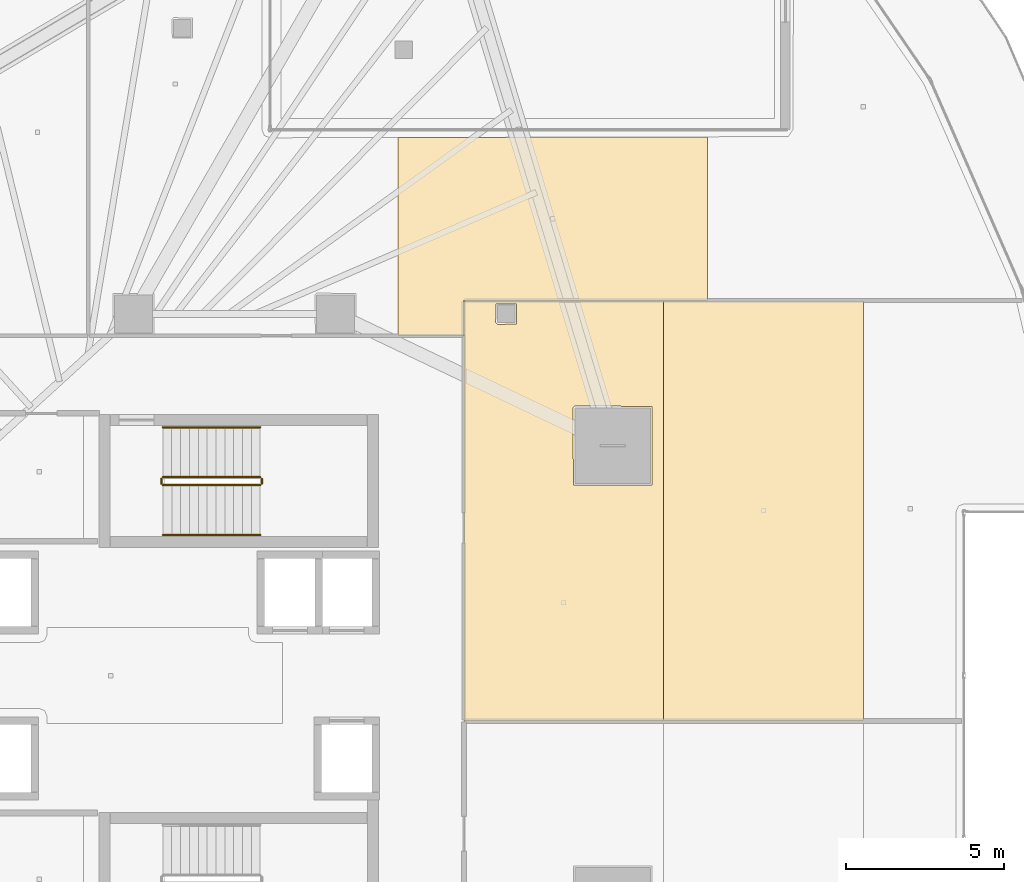
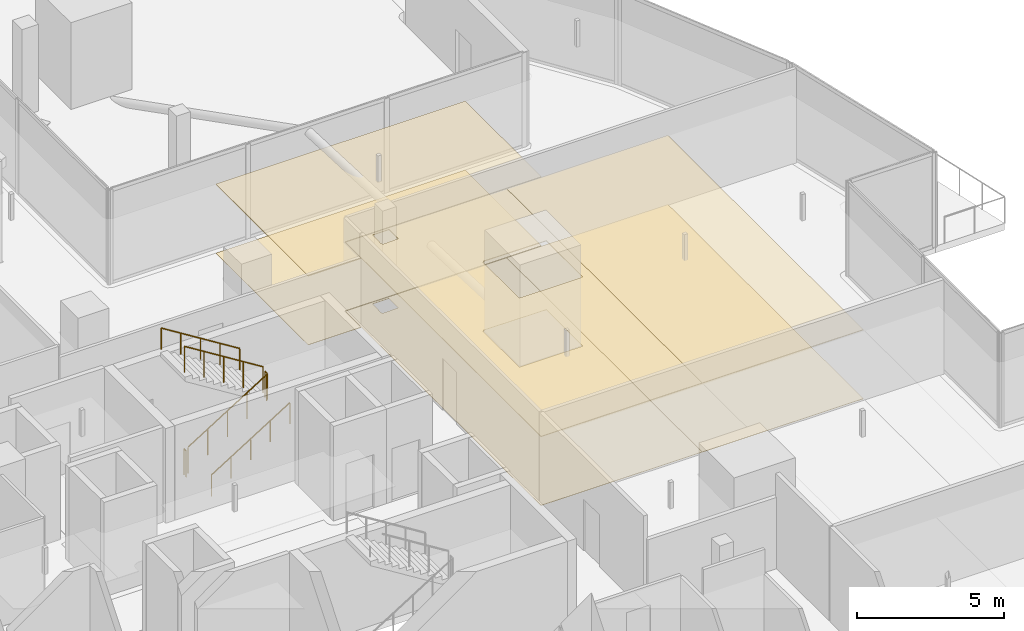
# One storey, part 46 of 47: 6 coverings, 6 railings.
"""IFC4 building model written with IfcOpenShell, lengths in metres."""

from ifc_helpers import new_model, si_unit, direction, frame, origin, origin_2d, place, context, subcontext, project, spatial, polyline, circle, outline, extrude, material, layer, layer_set, type_object, element, save


model = new_model("IFC4")

# Units and contexts
model_context = context("Model", 3, precision=1e-05, world=origin(), true_north=direction((0.0, 1.0)))
body_context = subcontext(model_context, "Body", "Model", "MODEL_VIEW")
ifc_project = project(units=[si_unit("LENGTHUNIT", "METRE"), si_unit("AREAUNIT", "SQUARE_METRE"), si_unit("VOLUMEUNIT", "CUBIC_METRE"), si_unit("PLANEANGLEUNIT", "RADIAN"), si_unit("MASSUNIT", "GRAM", prefix="KILO")], contexts=[model_context])

# Site, building, storey
site_placement = place(None, origin())
site = spatial("IfcSite", under=ifc_project, at=site_placement, CompositionType="ELEMENT")
building_placement = place(site_placement, origin())
building = spatial("IfcBuilding", under=site, at=building_placement, Name="Qorvath Tower", CompositionType="ELEMENT")
storey_placement = place(building_placement, frame((0.0, 0.0, 74.39990234375)))
storey = spatial("IfcBuildingStorey", under=building, at=storey_placement, Name="L16", CompositionType="ELEMENT", Elevation=74.39990234375)

# Coverings
ifc_material_1 = material(Name="Acoustic mineral fibre ceiling tile", Category="gypsum")
ifc_layer_1 = layer(ifc_material_1, 0.030029296875)
ifc_layer_set_1 = layer_set([ifc_layer_1], Name="COV-CEIL")
covering_type_1 = type_object("IfcCoveringType", Name="COV-CEIL", PredefinedType="CEILING", material=ifc_layer_set_1)
covering_1_placement = place(storey_placement, frame((0.0, 0.0, 2.85009765625)))
element("IfcCovering", 1, at=covering_1_placement, inside=storey, type_object=covering_type_1, Name="L16 Suspended Acoustic Ceiling 012", PredefinedType="CEILING", context=body_context, shape_type="SweptSolid", body=[
    extrude(outline(polyline([(-13.153564453125, 11.8740234375), (-5.435546875, 11.878173828125), (-5.435546875, 17.057373046875), (-15.228271484375, 17.034423828125), (-15.228271484375, 10.762939453125), (-13.155029296875, 10.762939453125), (-13.153564453125, 11.8740234375)])), origin(), (0.0, 0.0, 1.0), 0.030029296875),
])
covering_2_placement = place(storey_placement, frame((0.0, 0.0, 2.85009765625)))
element("IfcCovering", 2, at=covering_2_placement, inside=storey, type_object=covering_type_1, Name="L16 Suspended Acoustic Ceiling 032", PredefinedType="CEILING", context=body_context, shape_type="SweptSolid", body=[
    extrude(outline(polyline([(-6.814208984375, -1.428466796875), (-6.814208984375, 11.8603515625), (-13.136962890625, 11.857666015625), (-13.136962890625, -1.428466796875), (-6.814208984375, -1.428466796875)]), holes=[polyline([(-9.690185546875, 8.476318359375), (-9.63037109375, 8.536376953125), (-7.18798828125, 8.518798828125), (-7.18798828125, 6.033935546875), (-9.672607421875, 6.033935546875), (-9.690185546875, 8.476318359375)]), polyline([(-12.135009765625, 11.175048828125), (-12.117431640625, 11.767333984375), (-11.482666015625, 11.767333984375), (-11.482666015625, 11.132568359375), (-12.074951171875, 11.114990234375), (-12.135009765625, 11.175048828125)])]), origin(), (0.0, 0.0, 1.0), 0.030029296875),
])
covering_3_placement = place(storey_placement, frame((0.0, 0.0, 2.85009765625)))
element("IfcCovering", 3, at=covering_3_placement, inside=storey, type_object=covering_type_1, Name="L16 Suspended Acoustic Ceiling 033", PredefinedType="CEILING", context=body_context, shape_type="SweptSolid", body=[
    extrude(outline(polyline([(-0.491455078125, -1.428466796875), (-0.491455078125, 11.863037109375), (-6.814208984375, 11.8603515625), (-6.814208984375, -1.428466796875), (-0.491455078125, -1.428466796875)])), origin(), (0.0, 0.0, 1.0), 0.030029296875),
])
ifc_material_2 = material(Name="Low-VOC modular carpet tile", Category="textile")
ifc_layer_2 = layer(ifc_material_2, 0.014892578125)
ifc_layer_set_2 = layer_set([ifc_layer_2], Name="COV-FLOOR-CPT")
covering_type_2 = type_object("IfcCoveringType", Name="COV-FLOOR-CPT", PredefinedType="FLOORING", material=ifc_layer_set_2)
covering_4_placement = place(storey_placement, origin())
element("IfcCovering", 4, at=covering_4_placement, inside=storey, type_object=covering_type_2, Name="L16 Floor Finish 012", PredefinedType="FLOORING", context=body_context, shape_type="SweptSolid", body=[
    extrude(outline(polyline([(-13.153564453125, 11.8740234375), (-5.435546875, 11.878173828125), (-5.435546875, 17.057373046875), (-15.228271484375, 17.034423828125), (-15.228271484375, 10.762939453125), (-13.155029296875, 10.762939453125), (-13.153564453125, 11.8740234375)])), origin(), (0.0, 0.0, 1.0), 0.01513671875),
])
covering_5_placement = place(storey_placement, origin())
element("IfcCovering", 5, at=covering_5_placement, inside=storey, type_object=covering_type_2, Name="L16 Floor Finish 032", PredefinedType="FLOORING", context=body_context, shape_type="SweptSolid", body=[
    extrude(outline(polyline([(-6.814208984375, -1.428466796875), (-6.814208984375, 11.8603515625), (-13.136962890625, 11.857666015625), (-13.136962890625, -1.428466796875), (-6.814208984375, -1.428466796875)]), holes=[polyline([(-9.690185546875, 8.476318359375), (-9.63037109375, 8.536376953125), (-7.18798828125, 8.518798828125), (-7.18798828125, 6.033935546875), (-9.672607421875, 6.033935546875), (-9.690185546875, 8.476318359375)]), polyline([(-12.135009765625, 11.175048828125), (-12.117431640625, 11.767333984375), (-11.482666015625, 11.767333984375), (-11.482666015625, 11.132568359375), (-12.074951171875, 11.114990234375), (-12.135009765625, 11.175048828125)])]), origin(), (0.0, 0.0, 1.0), 0.01513671875),
])
covering_6_placement = place(storey_placement, origin())
element("IfcCovering", 6, at=covering_6_placement, inside=storey, type_object=covering_type_2, Name="L16 Floor Finish 033", PredefinedType="FLOORING", context=body_context, shape_type="SweptSolid", body=[
    extrude(outline(polyline([(-0.491455078125, -1.428466796875), (-0.491455078125, 11.863037109375), (-6.814208984375, 11.8603515625), (-6.814208984375, -1.428466796875), (-0.491455078125, -1.428466796875)])), origin(), (0.0, 0.0, 1.0), 0.01513671875),
])

# Railings
ifc_material_3 = material(Name="Painted galvanised steel", Category="steel")
railing_type_1 = type_object("IfcRailingType", Name="RL-STR-GRD", PredefinedType="GUARDRAIL", material=ifc_material_3)
railing_1_placement = place(storey_placement, frame((-22.669921875, 6.030029296875, 0.175048828125)))
element("IfcRailing", 7, at=railing_1_placement, inside=storey, type_object=railing_type_1, Name="L16 TS1 stair guard 1", PredefinedType="GUARDRAIL", context=body_context, shape_type="SweptSolid", body=[
    extrude(circle(Radius=0.02392578125, at=origin_2d()), frame((0.0, 0.0, 1.076171875), z_axis=(0.847979421464, 0.0, 0.530029150871), x_axis=(0.0, 1.0, 0.0)), (0.0, 0.0, 1.0), 3.632080078125),
    extrude(circle(Radius=0.02099609375, at=origin_2d()), origin(), (0.0, 0.0, 1.0), 1.052001953125),
    extrude(circle(Radius=0.02099609375, at=origin_2d()), frame((0.77001953125, 0.0, 0.481201171875)), (0.0, 0.0, 1.0), 1.052001953125),
    extrude(circle(Radius=0.02099609375, at=origin_2d()), frame((1.5400390625, 0.0, 0.96240234375)), (0.0, 0.0, 1.0), 1.052001953125),
    extrude(circle(Radius=0.02099609375, at=origin_2d()), frame((2.309814453125, 0.0, 1.44384765625)), (0.0, 0.0, 1.0), 1.052001953125),
    extrude(circle(Radius=0.02099609375, at=origin_2d()), frame((3.079833984375, 0.0, 1.925048828125)), (0.0, 0.0, 1.0), 1.052001953125),
])
railing_2_placement = place(storey_placement, frame((-19.5400390625, 6.080078125, 2.10009765625)))
element("IfcRailing", 8, at=railing_2_placement, inside=storey, type_object=railing_type_1, Name="L16 TS1 stair guard 2", PredefinedType="GUARDRAIL", context=body_context, shape_type="SweptSolid", body=[
    extrude(circle(Radius=0.02392578125, at=origin_2d()), frame((0.0, 0.0, 1.076171875), z_axis=(0.0, 1.0, 0.0), x_axis=(-1.0, 0.0, 0.0)), (0.0, 0.0, 1.0), 0.14990234375),
    extrude(circle(Radius=0.02099609375, at=origin_2d()), origin(), (0.0, 0.0, 1.0), 1.052001953125),
    extrude(circle(Radius=0.02099609375, at=origin_2d()), frame((0.0, 0.14990234375, 0.0)), (0.0, 0.0, 1.0), 1.052001953125),
])
railing_3_placement = place(storey_placement, frame((-19.590087890625, 6.280029296875, 2.275146484375)))
element("IfcRailing", 9, at=railing_3_placement, inside=storey, type_object=railing_type_1, Name="L16 TS1 stair guard 3", PredefinedType="GUARDRAIL", context=body_context, shape_type="SweptSolid", body=[
    extrude(circle(Radius=0.02392578125, at=origin_2d()), frame((0.0, 0.0, 1.076171875), z_axis=(-0.847979421464, 0.0, 0.530029150871), x_axis=(0.0, -1.0, 0.0)), (0.0, 0.0, 1.0), 3.632080078125),
    extrude(circle(Radius=0.02099609375, at=origin_2d()), origin(), (0.0, 0.0, 1.0), 1.052001953125),
    extrude(circle(Radius=0.02099609375, at=origin_2d()), frame((-0.77001953125, 0.0, 0.481201171875)), (0.0, 0.0, 1.0), 1.052001953125),
    extrude(circle(Radius=0.02099609375, at=origin_2d()), frame((-1.5400390625, 0.0, 0.96240234375)), (0.0, 0.0, 1.0), 1.052001953125),
    extrude(circle(Radius=0.02099609375, at=origin_2d()), frame((-2.309814453125, 0.0, 1.44384765625)), (0.0, 0.0, 1.0), 1.052001953125),
    extrude(circle(Radius=0.02099609375, at=origin_2d()), frame((-3.079833984375, 0.0, 1.925048828125)), (0.0, 0.0, 1.0), 1.052001953125),
])
railing_4_placement = place(storey_placement, frame((-22.719970703125, 6.080078125, 0.0)))
element("IfcRailing", 10, at=railing_4_placement, inside=storey, type_object=railing_type_1, Name="L16 TS1 stair guard 4", PredefinedType="GUARDRAIL", context=body_context, shape_type="SweptSolid", body=[
    extrude(circle(Radius=0.02392578125, at=origin_2d()), frame((0.0, 0.0, 1.076171875), z_axis=(0.0, 1.0, 0.0), x_axis=(-1.0, 0.0, 0.0)), (0.0, 0.0, 1.0), 0.14990234375),
    extrude(circle(Radius=0.02099609375, at=origin_2d()), origin(), (0.0, 0.0, 1.0), 1.052001953125),
    extrude(circle(Radius=0.02099609375, at=origin_2d()), frame((0.0, 0.14990234375, 0.0)), (0.0, 0.0, 1.0), 1.052001953125),
])
ifc_material_4 = material(Name="Brushed stainless steel AISI 304", Category="steel")
railing_type_2 = type_object("IfcRailingType", Name="RL-STR-HND", PredefinedType="HANDRAIL", material=ifc_material_4)
railing_5_placement = place(storey_placement, frame((-22.669921875, 4.449951171875, 0.175048828125)))
element("IfcRailing", 11, at=railing_5_placement, inside=storey, type_object=railing_type_2, Name="L16 TS1 stair handrail 1", PredefinedType="HANDRAIL", context=body_context, shape_type="SweptSolid", body=[
    extrude(circle(Radius=0.02392578125, at=origin_2d()), frame((0.0, 0.0, 0.8759765625), z_axis=(0.847979421464, 0.0, 0.530029150871), x_axis=(0.0, 1.0, 0.0)), (0.0, 0.0, 1.0), 3.632080078125),
    extrude(circle(Radius=0.02099609375, at=origin_2d()), origin(), (0.0, 0.0, 1.0), 0.851806640625),
    extrude(circle(Radius=0.02099609375, at=origin_2d()), frame((0.77001953125, 0.0, 0.481201171875)), (0.0, 0.0, 1.0), 0.851806640625),
    extrude(circle(Radius=0.02099609375, at=origin_2d()), frame((1.5400390625, 0.0, 0.96240234375)), (0.0, 0.0, 1.0), 0.851806640625),
    extrude(circle(Radius=0.02099609375, at=origin_2d()), frame((2.309814453125, 0.0, 1.44384765625)), (0.0, 0.0, 1.0), 0.851806640625),
    extrude(circle(Radius=0.02099609375, at=origin_2d()), frame((3.079833984375, 0.0, 1.925048828125)), (0.0, 0.0, 1.0), 0.851806640625),
])
railing_6_placement = place(storey_placement, frame((-19.590087890625, 7.860107421875, 2.275146484375)))
element("IfcRailing", 12, at=railing_6_placement, inside=storey, type_object=railing_type_2, Name="L16 TS1 stair handrail 2", PredefinedType="HANDRAIL", context=body_context, shape_type="SweptSolid", body=[
    extrude(circle(Radius=0.02392578125, at=origin_2d()), frame((0.0, 0.0, 0.8759765625), z_axis=(-0.847979421464, 0.0, 0.530029150871), x_axis=(0.0, -1.0, 0.0)), (0.0, 0.0, 1.0), 3.632080078125),
    extrude(circle(Radius=0.02099609375, at=origin_2d()), origin(), (0.0, 0.0, 1.0), 0.851806640625),
    extrude(circle(Radius=0.02099609375, at=origin_2d()), frame((-0.77001953125, 0.0, 0.481201171875)), (0.0, 0.0, 1.0), 0.851806640625),
    extrude(circle(Radius=0.02099609375, at=origin_2d()), frame((-1.5400390625, 0.0, 0.96240234375)), (0.0, 0.0, 1.0), 0.851806640625),
    extrude(circle(Radius=0.02099609375, at=origin_2d()), frame((-2.309814453125, 0.0, 1.44384765625)), (0.0, 0.0, 1.0), 0.851806640625),
    extrude(circle(Radius=0.02099609375, at=origin_2d()), frame((-3.079833984375, 0.0, 1.925048828125)), (0.0, 0.0, 1.0), 0.851806640625),
])

save(model, "model.ifc")
